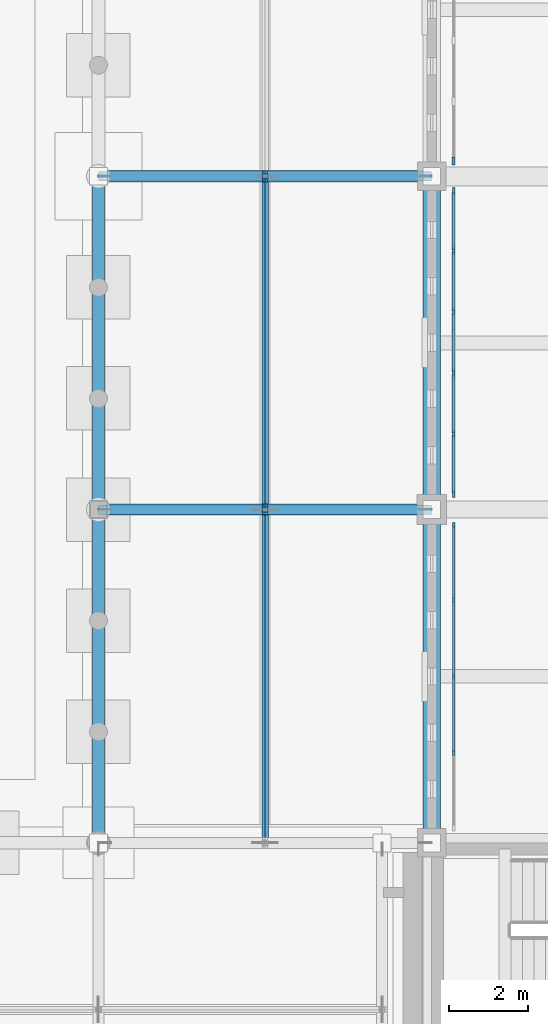
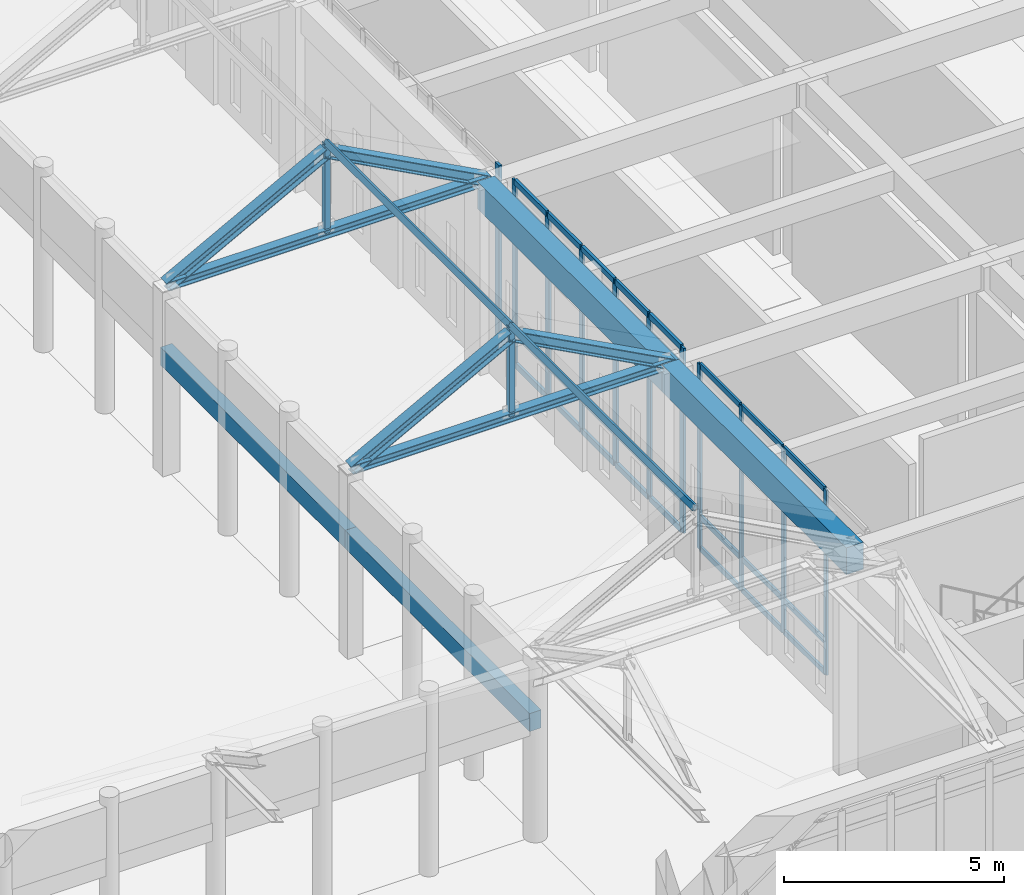
# One storey, part 46 of 143: 53 members, 4 beams, 3 elements without a shape of their own.
"""IFC4 building model written with IfcOpenShell, lengths in metres."""

from ifc_helpers import new_model, si_unit, direction, frame, origin, origin_2d, place, context, subcontext, project, spatial, rectangle, hollow_rectangle, i_section, extrude, material, layer, layer_set, material_profile, profile_set, type_object, element, aggregate, save


model = new_model("IFC4")

# Units and contexts
model_context = context("Model", 3, precision=1e-05, world=origin(), true_north=direction((0.0, 1.0)))
body_context = subcontext(model_context, "Body", "Model", "MODEL_VIEW")
ifc_project = project(units=[si_unit("LENGTHUNIT", "METRE"), si_unit("AREAUNIT", "SQUARE_METRE"), si_unit("VOLUMEUNIT", "CUBIC_METRE"), si_unit("PLANEANGLEUNIT", "RADIAN"), si_unit("MASSUNIT", "GRAM", prefix="KILO")], contexts=[model_context])

# Site, building, storey
site_placement = place(None, origin())
site = spatial("IfcSite", under=ifc_project, at=site_placement, CompositionType="ELEMENT")
building_placement = place(site_placement, origin())
building = spatial("IfcBuilding", under=site, at=building_placement, Name="Kveldsbrygga Polytechnic", CompositionType="ELEMENT")
storey_placement = place(building_placement, origin())
storey = spatial("IfcBuildingStorey", under=building, at=storey_placement, Name="L00", CompositionType="ELEMENT", Elevation=0.0)

# Beams
ifc_material_1 = material(Name="Concrete C35/45", Category="concrete")
ifc_material_profile_1 = material_profile(ifc_material_1, rectangle(XDim=0.449951171875, YDim=0.75, at=origin_2d()), Name="RC 450x750")
ifc_profile_set_1 = profile_set([ifc_material_profile_1], Name="Concrete C35/45")
beam_type_1 = type_object("IfcBeamType", Name="BM-RC-450x750", PredefinedType="BEAM", material=ifc_profile_set_1)
for number, where, z_axis, x_axis, name in (
    (1, (126.0, 33.60009765625, 4.764892578125), (0.0, 1.0, 0.0), (-1.0, 0.0, 0.0), "Primary Beam BMY-L00-15-04to05"),
    (2, (126.0, 42.0, 4.764892578125), (0.0, 1.0, 0.0), (-1.0, 0.0, 0.0), "Primary Beam BMY-L00-15-05to06"),
):
    element("IfcBeam", number, at=place(storey_placement, frame(where, z_axis=z_axis, x_axis=x_axis)), inside=storey, type_object=beam_type_1, Name=name, PredefinedType="BEAM", context=body_context, shape_type="SweptSolid", body=[
        extrude(rectangle(XDim=0.449951171875, YDim=0.75, at=origin_2d()), origin(), (0.0, 0.0, 1.0), 8.39990234375),
    ])

# Curtain wall, members
ifc_material_2 = material(Name="Anodised aluminium AW-6060", Category="aluminium")
ifc_layer_1 = layer(ifc_material_2, 0.199951171875)
ifc_layer_set_1 = layer_set([ifc_layer_1], Name="Anodised aluminium AW-6060")
curtain_wall_type_1 = type_object("IfcCurtainWallType", Name="CW-LANC-E", PredefinedType="USERDEFINED", material=ifc_layer_set_1)
curtain_wall_1_placement = place(storey_placement, origin())
curtain_wall_1 = element("IfcCurtainWall", 3, at=curtain_wall_1_placement, inside=storey, type_object=curtain_wall_type_1, Name="Curtain Wall CW-L00-Y-15-04", ObjectType="UNITISED CURTAIN WALL", PredefinedType="USERDEFINED")
ifc_material_profile_2 = material_profile(ifc_material_2, rectangle(XDim=0.06005859375, YDim=0.139892578125, at=origin_2d()), Name="ALU 60x140")
ifc_profile_set_2 = profile_set([ifc_material_profile_2], Name="Anodised aluminium AW-6060")
member_type_1 = type_object("IfcMemberType", Name="CW-MUL-140", PredefinedType="MULLION", material=ifc_profile_set_2)
member_1_placement = place(storey_placement, frame((126.550048828125, 35.86865234375, 0.0), z_axis=(0.0, 0.0, 1.0), x_axis=(-1.0, 0.0, 0.0)))
member_1 = element("IfcMember", 4, at=member_1_placement, type_object=member_type_1, Name="CW-05 mullion 2", PredefinedType="MULLION", context=body_context, shape_type="SweptSolid", body=[
    extrude(rectangle(XDim=0.06005859375, YDim=0.139892578125, at=origin_2d()), origin(), (0.0, 0.0, 1.0), 5.139892578125),
])
member_2_placement = place(storey_placement, frame((126.550048828125, 37.79248046875, 0.0), z_axis=(0.0, 0.0, 1.0), x_axis=(-1.0, 0.0, 0.0)))
member_2 = element("IfcMember", 5, at=member_2_placement, type_object=member_type_1, Name="CW-05 mullion 3", PredefinedType="MULLION", context=body_context, shape_type="SweptSolid", body=[
    extrude(rectangle(XDim=0.06005859375, YDim=0.139892578125, at=origin_2d()), origin(), (0.0, 0.0, 1.0), 5.139892578125),
])
member_3_placement = place(storey_placement, frame((126.550048828125, 39.71630859375, 0.0), z_axis=(0.0, 0.0, 1.0), x_axis=(-1.0, 0.0, 0.0)))
member_3 = element("IfcMember", 6, at=member_3_placement, type_object=member_type_1, Name="CW-05 mullion 4", PredefinedType="MULLION", context=body_context, shape_type="SweptSolid", body=[
    extrude(rectangle(XDim=0.06005859375, YDim=0.139892578125, at=origin_2d()), origin(), (0.0, 0.0, 1.0), 5.139892578125),
])
member_4_placement = place(storey_placement, frame((126.550048828125, 41.610107421875, 0.0), z_axis=(0.0, 0.0, 1.0), x_axis=(-1.0, 0.0, 0.0)))
member_4 = element("IfcMember", 7, at=member_4_placement, type_object=member_type_1, Name="CW-05 mullion 5", PredefinedType="MULLION", context=body_context, shape_type="SweptSolid", body=[
    extrude(rectangle(XDim=0.06005859375, YDim=0.139892578125, at=origin_2d()), origin(), (0.0, 0.0, 1.0), 5.139892578125),
])

ifc_layer_2 = layer(ifc_material_2, 0.169921875)
ifc_layer_set_2 = layer_set([ifc_layer_2], Name="Anodised aluminium AW-6060")
curtain_wall_type_2 = type_object("IfcCurtainWallType", Name="CW-FOYR-F", PredefinedType="USERDEFINED", material=ifc_layer_set_2)
curtain_wall_2_placement = place(storey_placement, origin())
curtain_wall_2 = element("IfcCurtainWall", 8, at=curtain_wall_2_placement, inside=storey, type_object=curtain_wall_type_2, Name="Curtain Wall CW-L00-Y-15-05", ObjectType="STICK CURTAIN WALL", PredefinedType="USERDEFINED")
ifc_material_profile_3 = material_profile(ifc_material_2, rectangle(XDim=0.06005859375, YDim=0.179931640625, at=origin_2d()), Name="ALU 60x180")
ifc_profile_set_3 = profile_set([ifc_material_profile_3], Name="Anodised aluminium AW-6060")
member_type_2 = type_object("IfcMemberType", Name="CW-MUL-180", PredefinedType="MULLION", material=ifc_profile_set_3)
member_5_placement = place(storey_placement, frame((126.550048828125, 42.389892578125, 0.0), z_axis=(0.0, 0.0, 1.0), x_axis=(-1.0, 0.0, 0.0)))
member_5 = element("IfcMember", 9, at=member_5_placement, type_object=member_type_2, Name="CW-06 mullion 1", PredefinedType="MULLION", context=body_context, shape_type="SweptSolid", body=[
    extrude(rectangle(XDim=0.06005859375, YDim=0.179931640625, at=origin_2d()), origin(), (0.0, 0.0, 1.0), 5.139892578125),
])
member_6_placement = place(storey_placement, frame((126.550048828125, 43.89892578125, 0.0), z_axis=(0.0, 0.0, 1.0), x_axis=(-1.0, 0.0, 0.0)))
member_6 = element("IfcMember", 10, at=member_6_placement, type_object=member_type_2, Name="CW-06 mullion 2", PredefinedType="MULLION", context=body_context, shape_type="SweptSolid", body=[
    extrude(rectangle(XDim=0.06005859375, YDim=0.179931640625, at=origin_2d()), origin(), (0.0, 0.0, 1.0), 5.139892578125),
])
member_7_placement = place(storey_placement, frame((126.550048828125, 45.43798828125, 0.0), z_axis=(0.0, 0.0, 1.0), x_axis=(-1.0, 0.0, 0.0)))
member_7 = element("IfcMember", 11, at=member_7_placement, type_object=member_type_2, Name="CW-06 mullion 3", PredefinedType="MULLION", context=body_context, shape_type="SweptSolid", body=[
    extrude(rectangle(XDim=0.06005859375, YDim=0.179931640625, at=origin_2d()), origin(), (0.0, 0.0, 1.0), 5.139892578125),
])
member_8_placement = place(storey_placement, frame((126.550048828125, 46.97705078125, 0.0), z_axis=(0.0, 0.0, 1.0), x_axis=(-1.0, 0.0, 0.0)))
member_8 = element("IfcMember", 12, at=member_8_placement, type_object=member_type_2, Name="CW-06 mullion 4", PredefinedType="MULLION", context=body_context, shape_type="SweptSolid", body=[
    extrude(rectangle(XDim=0.06005859375, YDim=0.179931640625, at=origin_2d()), origin(), (0.0, 0.0, 1.0), 5.139892578125),
])
member_9_placement = place(storey_placement, frame((126.550048828125, 48.51611328125, 0.0), z_axis=(0.0, 0.0, 1.0), x_axis=(-1.0, 0.0, 0.0)))
member_9 = element("IfcMember", 13, at=member_9_placement, type_object=member_type_2, Name="CW-06 mullion 5", PredefinedType="MULLION", context=body_context, shape_type="SweptSolid", body=[
    extrude(rectangle(XDim=0.06005859375, YDim=0.179931640625, at=origin_2d()), origin(), (0.0, 0.0, 1.0), 5.139892578125),
])
member_10_placement = place(storey_placement, frame((126.550048828125, 50.02490234375, 0.0), z_axis=(0.0, 0.0, 1.0), x_axis=(-1.0, 0.0, 0.0)))
member_10 = element("IfcMember", 14, at=member_10_placement, type_object=member_type_2, Name="CW-06 mullion 6", PredefinedType="MULLION", context=body_context, shape_type="SweptSolid", body=[
    extrude(rectangle(XDim=0.06005859375, YDim=0.179931640625, at=origin_2d()), origin(), (0.0, 0.0, 1.0), 5.139892578125),
])

# Curtain wall, member
ifc_layer_3 = layer(ifc_material_2, 0.18994140625)
ifc_layer_set_3 = layer_set([ifc_layer_3], Name="Anodised aluminium AW-6060")
curtain_wall_type_3 = type_object("IfcCurtainWallType", Name="CW-REFC-G", PredefinedType="USERDEFINED", material=ifc_layer_set_3)
curtain_wall_3_placement = place(storey_placement, origin())
curtain_wall_3 = element("IfcCurtainWall", 15, at=curtain_wall_3_placement, inside=storey, type_object=curtain_wall_type_3, Name="Curtain Wall CW-L00-Y-15-06", ObjectType="UNITISED CURTAIN WALL", PredefinedType="USERDEFINED")
ifc_material_profile_4 = material_profile(ifc_material_2, rectangle(XDim=0.074951171875, YDim=0.199951171875, at=origin_2d()), Name="ALU 75x200")
ifc_profile_set_4 = profile_set([ifc_material_profile_4], Name="Anodised aluminium AW-6060")
member_type_3 = type_object("IfcMemberType", Name="CW-MUL-200", PredefinedType="MULLION", material=ifc_profile_set_4)
member_11_placement = place(storey_placement, frame((126.550048828125, 50.782470703125, 0.0), z_axis=(0.0, 0.0, 1.0), x_axis=(-1.0, 0.0, 0.0)))
member_11 = element("IfcMember", 16, at=member_11_placement, type_object=member_type_3, Name="CW-07 mullion 1", PredefinedType="MULLION", context=body_context, shape_type="SweptSolid", body=[
    extrude(rectangle(XDim=0.074951171875, YDim=0.199951171875, at=origin_2d()), origin(), (0.0, 0.0, 1.0), 5.139892578125),
])
aggregate(curtain_wall_3, [member_11])

# Member
ifc_material_profile_5 = material_profile(ifc_material_2, rectangle(XDim=0.06005859375, YDim=0.14990234375, at=origin_2d()), Name="ALU 60x150")
ifc_profile_set_5 = profile_set([ifc_material_profile_5], Name="Anodised aluminium AW-6060")
member_type_4 = type_object("IfcMemberType", Name="CW-TRN-150", PredefinedType="USERDEFINED", material=ifc_profile_set_5)
member_12_placement = place(storey_placement, frame((126.550048828125, 35.898681640625, 0.030029296875), z_axis=(0.0, 1.0, 0.0), x_axis=(-1.0, 0.0, 0.0)))
member_12 = element("IfcMember", 17, at=member_12_placement, type_object=member_type_4, Name="CW-05 transom 2.1", ObjectType="TRANSOM", PredefinedType="USERDEFINED", context=body_context, shape_type="SweptSolid", body=[
    extrude(rectangle(XDim=0.06005859375, YDim=0.14990234375, at=origin_2d()), origin(), (0.0, 0.0, 1.0), 1.86376953125),
])

member_13_placement = place(storey_placement, frame((126.550048828125, 35.898681640625, 0.89990234375), z_axis=(0.0, 1.0, 0.0), x_axis=(-1.0, 0.0, 0.0)))
member_13 = element("IfcMember", 18, at=member_13_placement, type_object=member_type_4, Name="CW-05 transom 2.2", ObjectType="TRANSOM", PredefinedType="USERDEFINED", context=body_context, shape_type="SweptSolid", body=[
    extrude(rectangle(XDim=0.06005859375, YDim=0.14990234375, at=origin_2d()), origin(), (0.0, 0.0, 1.0), 1.86376953125),
])

member_14_placement = place(storey_placement, frame((126.550048828125, 35.898681640625, 4.590087890625), z_axis=(0.0, 1.0, 0.0), x_axis=(-1.0, 0.0, 0.0)))
member_14 = element("IfcMember", 19, at=member_14_placement, type_object=member_type_4, Name="CW-05 transom 2.3", ObjectType="TRANSOM", PredefinedType="USERDEFINED", context=body_context, shape_type="SweptSolid", body=[
    extrude(rectangle(XDim=0.06005859375, YDim=0.14990234375, at=origin_2d()), origin(), (0.0, 0.0, 1.0), 1.86376953125),
])

member_15_placement = place(storey_placement, frame((126.550048828125, 35.898681640625, 5.110107421875), z_axis=(0.0, 1.0, 0.0), x_axis=(-1.0, 0.0, 0.0)))
member_15 = element("IfcMember", 20, at=member_15_placement, type_object=member_type_4, Name="CW-05 transom 2.4", ObjectType="TRANSOM", PredefinedType="USERDEFINED", context=body_context, shape_type="SweptSolid", body=[
    extrude(rectangle(XDim=0.06005859375, YDim=0.14990234375, at=origin_2d()), origin(), (0.0, 0.0, 1.0), 1.86376953125),
])

member_16_placement = place(storey_placement, frame((126.550048828125, 37.822509765625, 0.030029296875), z_axis=(0.0, 1.0, 0.0), x_axis=(-1.0, 0.0, 0.0)))
member_16 = element("IfcMember", 21, at=member_16_placement, type_object=member_type_4, Name="CW-05 transom 3.1", ObjectType="TRANSOM", PredefinedType="USERDEFINED", context=body_context, shape_type="SweptSolid", body=[
    extrude(rectangle(XDim=0.06005859375, YDim=0.14990234375, at=origin_2d()), origin(), (0.0, 0.0, 1.0), 1.86376953125),
])

member_17_placement = place(storey_placement, frame((126.550048828125, 37.822509765625, 0.89990234375), z_axis=(0.0, 1.0, 0.0), x_axis=(-1.0, 0.0, 0.0)))
member_17 = element("IfcMember", 22, at=member_17_placement, type_object=member_type_4, Name="CW-05 transom 3.2", ObjectType="TRANSOM", PredefinedType="USERDEFINED", context=body_context, shape_type="SweptSolid", body=[
    extrude(rectangle(XDim=0.06005859375, YDim=0.14990234375, at=origin_2d()), origin(), (0.0, 0.0, 1.0), 1.86376953125),
])

member_18_placement = place(storey_placement, frame((126.550048828125, 37.822509765625, 4.590087890625), z_axis=(0.0, 1.0, 0.0), x_axis=(-1.0, 0.0, 0.0)))
member_18 = element("IfcMember", 23, at=member_18_placement, type_object=member_type_4, Name="CW-05 transom 3.3", ObjectType="TRANSOM", PredefinedType="USERDEFINED", context=body_context, shape_type="SweptSolid", body=[
    extrude(rectangle(XDim=0.06005859375, YDim=0.14990234375, at=origin_2d()), origin(), (0.0, 0.0, 1.0), 1.86376953125),
])

member_19_placement = place(storey_placement, frame((126.550048828125, 37.822509765625, 5.110107421875), z_axis=(0.0, 1.0, 0.0), x_axis=(-1.0, 0.0, 0.0)))
member_19 = element("IfcMember", 24, at=member_19_placement, type_object=member_type_4, Name="CW-05 transom 3.4", ObjectType="TRANSOM", PredefinedType="USERDEFINED", context=body_context, shape_type="SweptSolid", body=[
    extrude(rectangle(XDim=0.06005859375, YDim=0.14990234375, at=origin_2d()), origin(), (0.0, 0.0, 1.0), 1.86376953125),
])

member_20_placement = place(storey_placement, frame((126.550048828125, 39.746337890625, 0.030029296875), z_axis=(0.0, 1.0, 0.0), x_axis=(-1.0, 0.0, 0.0)))
member_20 = element("IfcMember", 25, at=member_20_placement, type_object=member_type_4, Name="CW-05 transom 4.1", ObjectType="TRANSOM", PredefinedType="USERDEFINED", context=body_context, shape_type="SweptSolid", body=[
    extrude(rectangle(XDim=0.06005859375, YDim=0.14990234375, at=origin_2d()), origin(), (0.0, 0.0, 1.0), 1.833740234375),
])

member_21_placement = place(storey_placement, frame((126.550048828125, 39.746337890625, 0.89990234375), z_axis=(0.0, 1.0, 0.0), x_axis=(-1.0, 0.0, 0.0)))
member_21 = element("IfcMember", 26, at=member_21_placement, type_object=member_type_4, Name="CW-05 transom 4.2", ObjectType="TRANSOM", PredefinedType="USERDEFINED", context=body_context, shape_type="SweptSolid", body=[
    extrude(rectangle(XDim=0.06005859375, YDim=0.14990234375, at=origin_2d()), origin(), (0.0, 0.0, 1.0), 1.833740234375),
])

member_22_placement = place(storey_placement, frame((126.550048828125, 39.746337890625, 4.590087890625), z_axis=(0.0, 1.0, 0.0), x_axis=(-1.0, 0.0, 0.0)))
member_22 = element("IfcMember", 27, at=member_22_placement, type_object=member_type_4, Name="CW-05 transom 4.3", ObjectType="TRANSOM", PredefinedType="USERDEFINED", context=body_context, shape_type="SweptSolid", body=[
    extrude(rectangle(XDim=0.06005859375, YDim=0.14990234375, at=origin_2d()), origin(), (0.0, 0.0, 1.0), 1.833740234375),
])

member_23_placement = place(storey_placement, frame((126.550048828125, 39.746337890625, 5.110107421875), z_axis=(0.0, 1.0, 0.0), x_axis=(-1.0, 0.0, 0.0)))
member_23 = element("IfcMember", 28, at=member_23_placement, type_object=member_type_4, Name="CW-05 transom 4.4", ObjectType="TRANSOM", PredefinedType="USERDEFINED", context=body_context, shape_type="SweptSolid", body=[
    extrude(rectangle(XDim=0.06005859375, YDim=0.14990234375, at=origin_2d()), origin(), (0.0, 0.0, 1.0), 1.833740234375),
])

aggregate(curtain_wall_1, [member_1, member_2, member_3, member_4, member_12, member_13, member_14, member_15, member_16, member_17, member_18, member_19, member_20, member_21, member_22, member_23])

ifc_material_profile_6 = material_profile(ifc_material_2, rectangle(XDim=0.074951171875, YDim=0.159912109375, at=origin_2d()), Name="ALU 75x160")
ifc_profile_set_6 = profile_set([ifc_material_profile_6], Name="Anodised aluminium AW-6060")
member_type_5 = type_object("IfcMemberType", Name="CW-TRN-160", PredefinedType="USERDEFINED", material=ifc_profile_set_6)
member_24_placement = place(storey_placement, frame((126.550048828125, 42.419921875, 0.03759765625), z_axis=(0.0, 1.0, 0.0), x_axis=(-1.0, 0.0, 0.0)))
member_24 = element("IfcMember", 29, at=member_24_placement, type_object=member_type_5, Name="CW-06 transom 1.1", ObjectType="TRANSOM", PredefinedType="USERDEFINED", context=body_context, shape_type="SweptSolid", body=[
    extrude(rectangle(XDim=0.074951171875, YDim=0.159912109375, at=origin_2d()), origin(), (0.0, 0.0, 1.0), 1.448974609375),
])

member_25_placement = place(storey_placement, frame((126.550048828125, 42.419921875, 0.89990234375), z_axis=(0.0, 1.0, 0.0), x_axis=(-1.0, 0.0, 0.0)))
member_25 = element("IfcMember", 30, at=member_25_placement, type_object=member_type_5, Name="CW-06 transom 1.2", ObjectType="TRANSOM", PredefinedType="USERDEFINED", context=body_context, shape_type="SweptSolid", body=[
    extrude(rectangle(XDim=0.074951171875, YDim=0.159912109375, at=origin_2d()), origin(), (0.0, 0.0, 1.0), 1.448974609375),
])

member_26_placement = place(storey_placement, frame((126.550048828125, 42.419921875, 4.590087890625), z_axis=(0.0, 1.0, 0.0), x_axis=(-1.0, 0.0, 0.0)))
member_26 = element("IfcMember", 31, at=member_26_placement, type_object=member_type_5, Name="CW-06 transom 1.3", ObjectType="TRANSOM", PredefinedType="USERDEFINED", context=body_context, shape_type="SweptSolid", body=[
    extrude(rectangle(XDim=0.074951171875, YDim=0.159912109375, at=origin_2d()), origin(), (0.0, 0.0, 1.0), 1.448974609375),
])

member_27_placement = place(storey_placement, frame((126.550048828125, 42.419921875, 5.1025390625), z_axis=(0.0, 1.0, 0.0), x_axis=(-1.0, 0.0, 0.0)))
member_27 = element("IfcMember", 32, at=member_27_placement, type_object=member_type_5, Name="CW-06 transom 1.4", ObjectType="TRANSOM", PredefinedType="USERDEFINED", context=body_context, shape_type="SweptSolid", body=[
    extrude(rectangle(XDim=0.074951171875, YDim=0.159912109375, at=origin_2d()), origin(), (0.0, 0.0, 1.0), 1.448974609375),
])

member_28_placement = place(storey_placement, frame((126.550048828125, 43.928955078125, 0.03759765625), z_axis=(0.0, 1.0, 0.0), x_axis=(-1.0, 0.0, 0.0)))
member_28 = element("IfcMember", 33, at=member_28_placement, type_object=member_type_5, Name="CW-06 transom 2.1", ObjectType="TRANSOM", PredefinedType="USERDEFINED", context=body_context, shape_type="SweptSolid", body=[
    extrude(rectangle(XDim=0.074951171875, YDim=0.159912109375, at=origin_2d()), origin(), (0.0, 0.0, 1.0), 1.47900390625),
])

member_29_placement = place(storey_placement, frame((126.550048828125, 43.928955078125, 0.89990234375), z_axis=(0.0, 1.0, 0.0), x_axis=(-1.0, 0.0, 0.0)))
member_29 = element("IfcMember", 34, at=member_29_placement, type_object=member_type_5, Name="CW-06 transom 2.2", ObjectType="TRANSOM", PredefinedType="USERDEFINED", context=body_context, shape_type="SweptSolid", body=[
    extrude(rectangle(XDim=0.074951171875, YDim=0.159912109375, at=origin_2d()), origin(), (0.0, 0.0, 1.0), 1.47900390625),
])

member_30_placement = place(storey_placement, frame((126.550048828125, 43.928955078125, 4.590087890625), z_axis=(0.0, 1.0, 0.0), x_axis=(-1.0, 0.0, 0.0)))
member_30 = element("IfcMember", 35, at=member_30_placement, type_object=member_type_5, Name="CW-06 transom 2.3", ObjectType="TRANSOM", PredefinedType="USERDEFINED", context=body_context, shape_type="SweptSolid", body=[
    extrude(rectangle(XDim=0.074951171875, YDim=0.159912109375, at=origin_2d()), origin(), (0.0, 0.0, 1.0), 1.47900390625),
])

member_31_placement = place(storey_placement, frame((126.550048828125, 43.928955078125, 5.1025390625), z_axis=(0.0, 1.0, 0.0), x_axis=(-1.0, 0.0, 0.0)))
member_31 = element("IfcMember", 36, at=member_31_placement, type_object=member_type_5, Name="CW-06 transom 2.4", ObjectType="TRANSOM", PredefinedType="USERDEFINED", context=body_context, shape_type="SweptSolid", body=[
    extrude(rectangle(XDim=0.074951171875, YDim=0.159912109375, at=origin_2d()), origin(), (0.0, 0.0, 1.0), 1.47900390625),
])

member_32_placement = place(storey_placement, frame((126.550048828125, 45.468017578125, 0.03759765625), z_axis=(0.0, 1.0, 0.0), x_axis=(-1.0, 0.0, 0.0)))
member_32 = element("IfcMember", 37, at=member_32_placement, type_object=member_type_5, Name="CW-06 transom 3.1", ObjectType="TRANSOM", PredefinedType="USERDEFINED", context=body_context, shape_type="SweptSolid", body=[
    extrude(rectangle(XDim=0.074951171875, YDim=0.159912109375, at=origin_2d()), origin(), (0.0, 0.0, 1.0), 1.47900390625),
])

member_33_placement = place(storey_placement, frame((126.550048828125, 45.468017578125, 0.89990234375), z_axis=(0.0, 1.0, 0.0), x_axis=(-1.0, 0.0, 0.0)))
member_33 = element("IfcMember", 38, at=member_33_placement, type_object=member_type_5, Name="CW-06 transom 3.2", ObjectType="TRANSOM", PredefinedType="USERDEFINED", context=body_context, shape_type="SweptSolid", body=[
    extrude(rectangle(XDim=0.074951171875, YDim=0.159912109375, at=origin_2d()), origin(), (0.0, 0.0, 1.0), 1.47900390625),
])

member_34_placement = place(storey_placement, frame((126.550048828125, 45.468017578125, 4.590087890625), z_axis=(0.0, 1.0, 0.0), x_axis=(-1.0, 0.0, 0.0)))
member_34 = element("IfcMember", 39, at=member_34_placement, type_object=member_type_5, Name="CW-06 transom 3.3", ObjectType="TRANSOM", PredefinedType="USERDEFINED", context=body_context, shape_type="SweptSolid", body=[
    extrude(rectangle(XDim=0.074951171875, YDim=0.159912109375, at=origin_2d()), origin(), (0.0, 0.0, 1.0), 1.47900390625),
])

member_35_placement = place(storey_placement, frame((126.550048828125, 45.468017578125, 5.1025390625), z_axis=(0.0, 1.0, 0.0), x_axis=(-1.0, 0.0, 0.0)))
member_35 = element("IfcMember", 40, at=member_35_placement, type_object=member_type_5, Name="CW-06 transom 3.4", ObjectType="TRANSOM", PredefinedType="USERDEFINED", context=body_context, shape_type="SweptSolid", body=[
    extrude(rectangle(XDim=0.074951171875, YDim=0.159912109375, at=origin_2d()), origin(), (0.0, 0.0, 1.0), 1.47900390625),
])

member_36_placement = place(storey_placement, frame((126.550048828125, 47.007080078125, 0.03759765625), z_axis=(0.0, 1.0, 0.0), x_axis=(-1.0, 0.0, 0.0)))
member_36 = element("IfcMember", 41, at=member_36_placement, type_object=member_type_5, Name="CW-06 transom 4.1", ObjectType="TRANSOM", PredefinedType="USERDEFINED", context=body_context, shape_type="SweptSolid", body=[
    extrude(rectangle(XDim=0.074951171875, YDim=0.159912109375, at=origin_2d()), origin(), (0.0, 0.0, 1.0), 1.47900390625),
])

member_37_placement = place(storey_placement, frame((126.550048828125, 47.007080078125, 0.89990234375), z_axis=(0.0, 1.0, 0.0), x_axis=(-1.0, 0.0, 0.0)))
member_37 = element("IfcMember", 42, at=member_37_placement, type_object=member_type_5, Name="CW-06 transom 4.2", ObjectType="TRANSOM", PredefinedType="USERDEFINED", context=body_context, shape_type="SweptSolid", body=[
    extrude(rectangle(XDim=0.074951171875, YDim=0.159912109375, at=origin_2d()), origin(), (0.0, 0.0, 1.0), 1.47900390625),
])

member_38_placement = place(storey_placement, frame((126.550048828125, 47.007080078125, 4.590087890625), z_axis=(0.0, 1.0, 0.0), x_axis=(-1.0, 0.0, 0.0)))
member_38 = element("IfcMember", 43, at=member_38_placement, type_object=member_type_5, Name="CW-06 transom 4.3", ObjectType="TRANSOM", PredefinedType="USERDEFINED", context=body_context, shape_type="SweptSolid", body=[
    extrude(rectangle(XDim=0.074951171875, YDim=0.159912109375, at=origin_2d()), origin(), (0.0, 0.0, 1.0), 1.47900390625),
])

member_39_placement = place(storey_placement, frame((126.550048828125, 47.007080078125, 5.1025390625), z_axis=(0.0, 1.0, 0.0), x_axis=(-1.0, 0.0, 0.0)))
member_39 = element("IfcMember", 44, at=member_39_placement, type_object=member_type_5, Name="CW-06 transom 4.4", ObjectType="TRANSOM", PredefinedType="USERDEFINED", context=body_context, shape_type="SweptSolid", body=[
    extrude(rectangle(XDim=0.074951171875, YDim=0.159912109375, at=origin_2d()), origin(), (0.0, 0.0, 1.0), 1.47900390625),
])

member_40_placement = place(storey_placement, frame((126.550048828125, 48.5458984375, 0.03759765625), z_axis=(0.0, 1.0, 0.0), x_axis=(-1.0, 0.0, 0.0)))
member_40 = element("IfcMember", 45, at=member_40_placement, type_object=member_type_5, Name="CW-06 transom 5.1", ObjectType="TRANSOM", PredefinedType="USERDEFINED", context=body_context, shape_type="SweptSolid", body=[
    extrude(rectangle(XDim=0.074951171875, YDim=0.159912109375, at=origin_2d()), origin(), (0.0, 0.0, 1.0), 1.44921875),
])

member_41_placement = place(storey_placement, frame((126.550048828125, 48.5458984375, 0.89990234375), z_axis=(0.0, 1.0, 0.0), x_axis=(-1.0, 0.0, 0.0)))
member_41 = element("IfcMember", 46, at=member_41_placement, type_object=member_type_5, Name="CW-06 transom 5.2", ObjectType="TRANSOM", PredefinedType="USERDEFINED", context=body_context, shape_type="SweptSolid", body=[
    extrude(rectangle(XDim=0.074951171875, YDim=0.159912109375, at=origin_2d()), origin(), (0.0, 0.0, 1.0), 1.44921875),
])

member_42_placement = place(storey_placement, frame((126.550048828125, 48.5458984375, 4.590087890625), z_axis=(0.0, 1.0, 0.0), x_axis=(-1.0, 0.0, 0.0)))
member_42 = element("IfcMember", 47, at=member_42_placement, type_object=member_type_5, Name="CW-06 transom 5.3", ObjectType="TRANSOM", PredefinedType="USERDEFINED", context=body_context, shape_type="SweptSolid", body=[
    extrude(rectangle(XDim=0.074951171875, YDim=0.159912109375, at=origin_2d()), origin(), (0.0, 0.0, 1.0), 1.44921875),
])

member_43_placement = place(storey_placement, frame((126.550048828125, 48.5458984375, 5.1025390625), z_axis=(0.0, 1.0, 0.0), x_axis=(-1.0, 0.0, 0.0)))
member_43 = element("IfcMember", 48, at=member_43_placement, type_object=member_type_5, Name="CW-06 transom 5.4", ObjectType="TRANSOM", PredefinedType="USERDEFINED", context=body_context, shape_type="SweptSolid", body=[
    extrude(rectangle(XDim=0.074951171875, YDim=0.159912109375, at=origin_2d()), origin(), (0.0, 0.0, 1.0), 1.44921875),
])

aggregate(curtain_wall_2, [member_5, member_6, member_7, member_8, member_9, member_10, member_24, member_25, member_26, member_27, member_28, member_29, member_30, member_31, member_32, member_33, member_34, member_35, member_36, member_37, member_38, member_39, member_40, member_41, member_42, member_43])

# Beams
ifc_material_profile_7 = material_profile(ifc_material_1, rectangle(XDim=0.300048828125, YDim=0.5, at=origin_2d()), Name="RC 300x500")
ifc_profile_set_7 = profile_set([ifc_material_profile_7], Name="Concrete C35/45")
beam_type_2 = type_object("IfcBeamType", Name="LNT-RC-300x500", PredefinedType="LINTEL", material=ifc_profile_set_7)
for number, where, z_axis, x_axis, name in (
    (49, (117.60009765625, 33.60009765625, 3.199951171875), (0.0, 1.0, 0.0), (-1.0, 0.0, 0.0), "Cloister Arcade Arch Lintel Beam BM-ARC-HDR-21"),
    (50, (117.60009765625, 42.0, 3.199951171875), (0.0, 1.0, 0.0), (-1.0, 0.0, 0.0), "Cloister Arcade Arch Lintel Beam BM-ARC-HDR-22"),
):
    element("IfcBeam", number, at=place(storey_placement, frame(where, z_axis=z_axis, x_axis=x_axis)), inside=storey, type_object=beam_type_2, Name=name, PredefinedType="LINTEL", context=body_context, shape_type="SweptSolid", body=[
        extrude(rectangle(XDim=0.300048828125, YDim=0.5, at=origin_2d()), origin(), (0.0, 0.0, 1.0), 8.39990234375),
    ])

# Members
ifc_material_3 = material(Name="Steel S355", Category="steel")
ifc_material_profile_8 = material_profile(ifc_material_3, hollow_rectangle(XDim=0.10009765625, YDim=0.14990234375, WallThickness=0.008056640625, at=origin_2d()), Name="RHS 150x100x8.0")
ifc_profile_set_8 = profile_set([ifc_material_profile_8], Name="Steel S355")
member_type_6 = type_object("IfcMemberType", Name="PRL-RHS150", PredefinedType="PURLIN", material=ifc_profile_set_8)
for number, where, z_axis, x_axis, name in (
    (51, (121.800048828125, 33.60009765625, 7.6337890625), (0.0, 1.0, 0.0), (-0.881479888517, 0.0, 0.472221564671), "Roof Purlin ARC-EE-PRL-1-1"),
    (52, (121.800048828125, 42.0, 7.6337890625), (0.0, 1.0, 0.0), (-0.881479888517, 0.0, 0.472221564671), "Roof Purlin ARC-EE-PRL-2-1"),
):
    element("IfcMember", number, at=place(storey_placement, frame(where, z_axis=z_axis, x_axis=x_axis)), inside=storey, type_object=member_type_6, Name=name, PredefinedType="PURLIN", context=body_context, shape_type="SweptSolid", body=[
        extrude(hollow_rectangle(XDim=0.10009765625, YDim=0.14990234375, WallThickness=0.008056640625, at=origin_2d()), origin(), (0.0, 0.0, 1.0), 8.39990234375),
    ])
ifc_material_profile_9 = material_profile(ifc_material_3, i_section(OverallWidth=0.239990234375, OverallDepth=0.239990234375, WebThickness=0.010009765625, FlangeThickness=0.01708984375, FilletRadius=0.02099609375, at=origin_2d()), Name="HEB 240")
ifc_profile_set_9 = profile_set([ifc_material_profile_9], Name="Steel S355")
member_type_7 = type_object("IfcMemberType", Name="TR-BOT-HEB240", PredefinedType="CHORD", material=ifc_profile_set_9)
for number, where, z_axis, x_axis, name in (
    (53, (117.60009765625, 42.0, 5.139892578125), (1.0, 0.0, 0.0), (0.0, 1.0, 0.0), "Truss Bottom Chord ARC-EE-T02-BC-1"),
    (54, (117.60009765625, 50.39990234375, 5.139892578125), (1.0, 0.0, 0.0), (0.0, 1.0, 0.0), "Truss Bottom Chord ARC-EE-T03-BC-1"),
):
    element("IfcMember", number, at=place(storey_placement, frame(where, z_axis=z_axis, x_axis=x_axis)), inside=storey, type_object=member_type_7, Name=name, PredefinedType="CHORD", context=body_context, shape_type="SweptSolid", body=[
        extrude(i_section(OverallWidth=0.239990234375, OverallDepth=0.239990234375, WebThickness=0.010009765625, FlangeThickness=0.01708984375, FilletRadius=0.02099609375, at=origin_2d()), origin(), (0.0, 0.0, 1.0), 8.39990234375),
    ])
ifc_material_profile_10 = material_profile(ifc_material_3, hollow_rectangle(XDim=0.139892578125, YDim=0.139892578125, WallThickness=0.008056640625, at=origin_2d()), Name="SHS 140x140x8.0")
ifc_profile_set_10 = profile_set([ifc_material_profile_10], Name="Steel S355")
member_type_8 = type_object("IfcMemberType", Name="TR-POST-SHS140", PredefinedType="STRUT", material=ifc_profile_set_10)
for number, where, z_axis, x_axis, name in (
    (55, (121.800048828125, 42.0, 5.139892578125), (0.0, 0.0, 1.0), (1.0, 0.0, 0.0), "Truss Vertical ARC-EE-T02-VT-1"),
    (56, (121.800048828125, 50.39990234375, 5.139892578125), (0.0, 0.0, 1.0), (1.0, 0.0, 0.0), "Truss Vertical ARC-EE-T03-VT-1"),
):
    element("IfcMember", number, at=place(storey_placement, frame(where, z_axis=z_axis, x_axis=x_axis)), inside=storey, type_object=member_type_8, Name=name, PredefinedType="STRUT", context=body_context, shape_type="SweptSolid", body=[
        extrude(hollow_rectangle(XDim=0.139892578125, YDim=0.139892578125, WallThickness=0.008056640625, at=origin_2d()), origin(), (0.0, 0.0, 1.0), 2.493896484375),
    ])
ifc_material_profile_11 = material_profile(ifc_material_3, i_section(OverallWidth=0.280029296875, OverallDepth=0.280029296875, WebThickness=0.010498046875, FlangeThickness=0.01806640625, FilletRadius=0.02392578125, at=origin_2d()), Name="HEB 280")
ifc_profile_set_11 = profile_set([ifc_material_profile_11], Name="Steel S355")
member_type_9 = type_object("IfcMemberType", Name="TR-TOP-HEB280", PredefinedType="CHORD", material=ifc_profile_set_11)
for number, where, z_axis, x_axis, name in (
    (57, (117.60009765625, 42.0, 5.139892578125), (0.881477684796, 0.0, 0.472225678258), (0.0, 1.0, 0.0), "Truss Top Chord ARC-EE-T02-TC-1"),
    (58, (121.800048828125, 42.0, 7.389892578125), (0.881477684796, 0.0, -0.472225678258), (0.0, 1.0, 0.0), "Truss Top Chord ARC-EE-T02-TC-2"),
    (59, (117.60009765625, 50.39990234375, 5.139892578125), (0.881477684796, 0.0, 0.472225678258), (0.0, 1.0, 0.0), "Truss Top Chord ARC-EE-T03-TC-1"),
    (60, (121.800048828125, 50.39990234375, 7.389892578125), (0.881477684796, 0.0, -0.472225678258), (0.0, 1.0, 0.0), "Truss Top Chord ARC-EE-T03-TC-2"),
):
    element("IfcMember", number, at=place(storey_placement, frame(where, z_axis=z_axis, x_axis=x_axis)), inside=storey, type_object=member_type_9, Name=name, PredefinedType="CHORD", context=body_context, shape_type="SweptSolid", body=[
        extrude(i_section(OverallWidth=0.280029296875, OverallDepth=0.280029296875, WebThickness=0.010498046875, FlangeThickness=0.01806640625, FilletRadius=0.02392578125, at=origin_2d()), origin(), (0.0, 0.0, 1.0), 4.7646484375),
    ])

save(model, "model.ifc")
